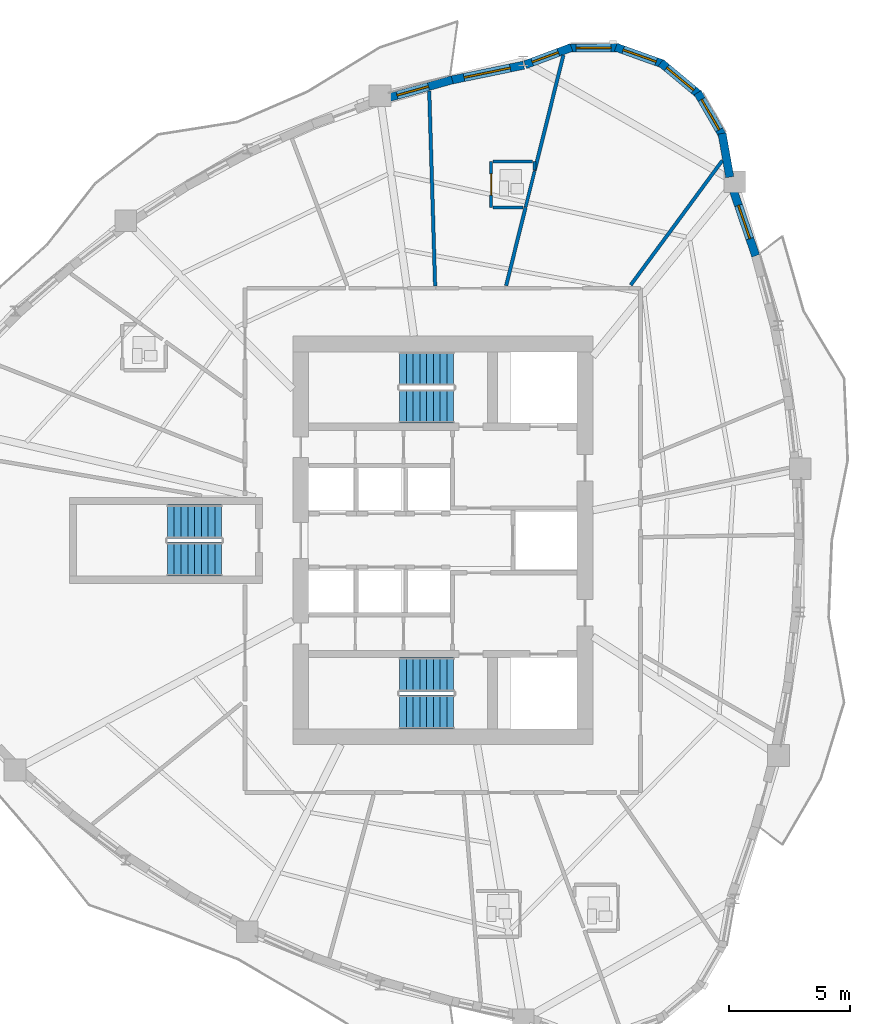
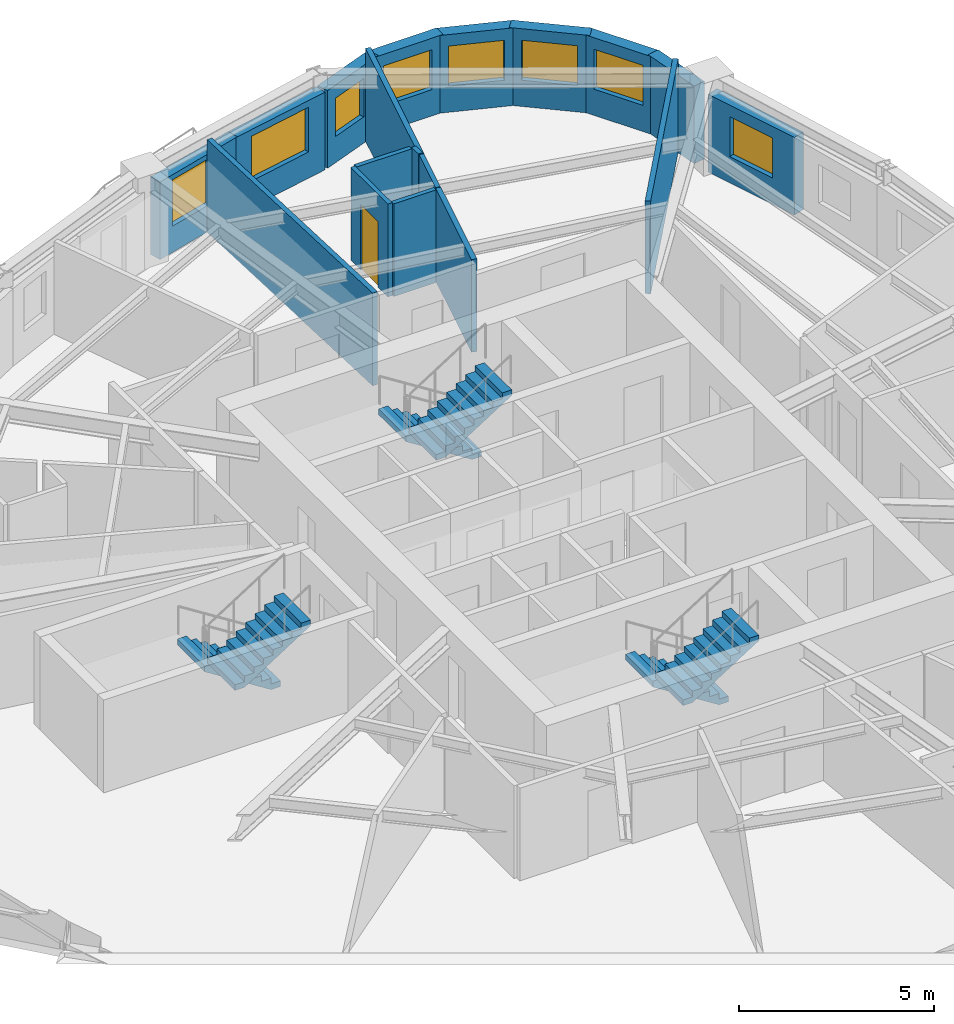
# One storey, part 8 of 12: 18 walls, 8 windows, 6 stair flights, 1 door, 9 openings, 3 elements without a shape of their own.
"""IFC4 building model written with IfcOpenShell, lengths in metres."""

from ifc_helpers import new_model, si_unit, direction, frame, frame_2d, origin, place, context, subcontext, project, spatial, polyline, rectangle, outline, extrude, source, transform, mapped, material, layer, layer_set, type_object, element, fill, aggregate, save


model = new_model("IFC4")

# Units and contexts
model_context = context("Model", 3, precision=1e-05, world=origin(), true_north=direction((0.0, 1.0)))
body_context = subcontext(model_context, "Body", "Model", "MODEL_VIEW")
ifc_project = project(units=[si_unit("LENGTHUNIT", "METRE"), si_unit("AREAUNIT", "SQUARE_METRE"), si_unit("VOLUMEUNIT", "CUBIC_METRE"), si_unit("PLANEANGLEUNIT", "RADIAN"), si_unit("MASSUNIT", "GRAM", prefix="KILO")], contexts=[model_context])

# Site, building, storey
site_placement = place(None, origin())
site = spatial("IfcSite", under=ifc_project, at=site_placement, CompositionType="ELEMENT")
building_placement = place(site_placement, origin())
building = spatial("IfcBuilding", under=site, at=building_placement, Name="Qafzar Sky-Pleat Residences", CompositionType="ELEMENT")
storey_placement = place(building_placement, frame((0.0, 0.0, 124.800048828125)))
storey = spatial("IfcBuildingStorey", under=building, at=storey_placement, Name="L37", CompositionType="ELEMENT", Elevation=124.800048828125)

# Walls
ifc_material_1 = material(Name="Acoustic gypsum plasterboard partition", Category="gypsum")
ifc_layer_1 = layer(ifc_material_1, 0.14501953125)
ifc_layer_set_1 = layer_set([ifc_layer_1], Name="Acoustic gypsum plasterboard partition")
wall_type_1 = type_object("IfcWallType", Name="PART-UNIT-145", PredefinedType="PARTITIONING", material=ifc_layer_set_1)
wall_1_placement = place(storey_placement, frame((29.7861328125, 44.578857421875, 0.0), z_axis=(0.0, 0.0, 1.0), x_axis=(0.030281792334, -0.99954140137, 0.0)))
element("IfcWall", 1, at=wall_1_placement, inside=storey, type_object=wall_type_1, Name="L37 Partition Wall PART-L37-PW-024", PredefinedType="PARTITIONING", context=body_context, shape_type="SweptSolid", body=[
    extrude(rectangle(XDim=8.062255859375, YDim=0.14501953125, at=frame_2d((4.03125, 0.0))), origin(), (0.0, 0.0, 1.0), 2.89990234375),
])
wall_2_placement = place(storey_placement, frame((38.119140625, 36.559326171875, 0.0), z_axis=(0.0, 0.0, 1.0), x_axis=(0.592704345809, 0.805420113021, 0.0)))
element("IfcWall", 2, at=wall_2_placement, inside=storey, type_object=wall_type_1, Name="L37 Partition Wall PART-L37-PW-029", PredefinedType="PARTITIONING", context=body_context, shape_type="SweptSolid", body=[
    extrude(rectangle(XDim=6.398681640625, YDim=0.14501953125, at=frame_2d((3.19921875, 0.0))), origin(), (0.0, 0.0, 1.0), 2.89990234375),
])
wall_3_placement = place(storey_placement, frame((34.14697265625, 41.285888671875, 0.0), z_axis=(0.0, 0.0, 1.0), x_axis=(0.241055314039, 0.970511378384, 0.0)))
element("IfcWall", 3, at=wall_3_placement, inside=storey, type_object=wall_type_1, Name="L37 Partition Wall PART-L37-PW-034", PredefinedType="PARTITIONING", context=body_context, shape_type="SweptSolid", body=[
    extrude(rectangle(XDim=4.92919921875, YDim=0.14501953125, at=frame_2d((2.464599609375, 0.0))), origin(), (0.0, 0.0, 1.0), 2.89990234375),
])
wall_4_placement = place(storey_placement, frame((32.967041015625, 36.53515625, 0.0), z_axis=(0.0, 0.0, 1.0), x_axis=(0.241120890255, 0.970495088232, 0.0)))
element("IfcWall", 4, at=wall_4_placement, inside=storey, type_object=wall_type_1, Name="L37 Partition Wall PART-L37-PW-041", PredefinedType="PARTITIONING", context=body_context, shape_type="SweptSolid", body=[
    extrude(rectangle(XDim=3.330078125, YDim=0.14501953125, at=frame_2d((1.6650390625, 0.0))), origin(), (0.0, 0.0, 1.0), 2.89990234375),
])

# Wall, opening, door
ifc_material_2 = material(Name="Moisture-resistant gypsum partition", Category="gypsum")
ifc_layer_2 = layer(ifc_material_2, 0.1298828125)
ifc_layer_set_2 = layer_set([ifc_layer_2], Name="Moisture-resistant gypsum partition")
wall_type_2 = type_object("IfcWallType", Name="PART-WET-130", PredefinedType="PARTITIONING", material=ifc_layer_set_2)
wall_5_placement = place(storey_placement, frame((32.346923828125, 41.6669921875, 0.0), z_axis=(0.0, 0.0, 1.0), x_axis=(0.0, -1.0, 0.0)))
wall_5 = element("IfcWall", 5, at=wall_5_placement, inside=storey, type_object=wall_type_2, Name="L37 Partition Wall PART-L37-PW-015", PredefinedType="PARTITIONING", context=body_context, shape_type="SweptSolid", body=[
    extrude(rectangle(XDim=1.89990234375, YDim=0.1298828125, at=frame_2d((0.949951171875, 0.0))), origin(), (0.0, 0.0, 1.0), 2.89990234375),
])
opening_1_placement = place(wall_5_placement, frame((0.510009765625, 0.0, 0.0)))
opening_1 = element("IfcOpeningElement", 6, at=opening_1_placement, cuts=wall_5, Name="Opening ID-07", PredefinedType="OPENING", context=body_context, shape_type="SweptSolid", body=[
    extrude(rectangle(XDim=0.8798828125, YDim=2.050048828125, at=frame_2d((0.43994140625, 1.02490234375))), frame((0.0, 0.074951171875, 0.0), z_axis=(0.0, -1.0, 0.0), x_axis=(1.0, 0.0, 0.0)), (0.0, 0.0, 1.0), 0.14990234375),
])
ifc_material_3 = material(Name="Timber-faced fire door", Category="wood")
door_type = type_object("IfcDoorType", Name="DR-WET-880", OperationType="NOTDEFINED", PredefinedType="DOOR", material=ifc_material_3)
shared_shape_1 = source(origin(), body_context, "Body", "SweptSolid", [
    extrude(rectangle(XDim=0.8798828125, YDim=2.050048828125, at=frame_2d((0.43994140625, 1.02490234375))), frame((0.0, 0.02490234375, 0.0), z_axis=(0.0, -1.0, 0.0), x_axis=(1.0, 0.0, 0.0)), (0.0, 0.0, 1.0), 0.050048828125),
])
door_placement = place(opening_1_placement, origin())
door = element("IfcDoor", 7, at=door_placement, inside=storey, type_object=door_type, Name="L37 En-suite Bathroom 1 Door", OperationType="SINGLE_SWING_RIGHT", OverallHeight=2.050048828125, OverallWidth=0.8798828125, PredefinedType="DOOR", context=body_context, shape_type="MappedRepresentation", body=[
    mapped(shared_shape_1, transform((0.0, 0.0, 0.0), x_axis=(1.0, 0.0, 0.0), y_axis=(0.0, 1.0, 0.0), z_axis=(0.0, 0.0, 1.0), scale=1.0)),
])
fill(opening_1, door)

# Walls
wall_6_placement = place(storey_placement, frame((32.419921875, 41.6669921875, 0.0), z_axis=(0.0, 0.0, 1.0), x_axis=(1.0, 0.0, 0.0)))
element("IfcWall", 8, at=wall_6_placement, inside=storey, type_object=wall_type_2, Name="L37 Partition Wall PART-L37-PW-045", PredefinedType="PARTITIONING", context=body_context, shape_type="SweptSolid", body=[
    extrude(rectangle(XDim=1.628173828125, YDim=0.1298828125, at=frame_2d((0.81396484375, 0.0))), origin(), (0.0, 0.0, 1.0), 2.89990234375),
])
wall_7_placement = place(storey_placement, frame((33.773681640625, 39.781494140625, 0.0), z_axis=(0.0, 0.0, 1.0), x_axis=(0.240776504653, 0.970580586457, 0.0)))
element("IfcWall", 9, at=wall_7_placement, inside=storey, type_object=wall_type_2, Name="L37 Partition Wall PART-L37-PW-047", PredefinedType="PARTITIONING", context=body_context, shape_type="SweptSolid", body=[
    extrude(rectangle(XDim=1.53515625, YDim=0.1298828125, at=frame_2d((0.767578125, 0.0))), origin(), (0.0, 0.0, 1.0), 2.89990234375),
])
wall_8_placement = place(storey_placement, frame((32.419921875, 39.76708984375, 0.0), z_axis=(0.0, 0.0, 1.0), x_axis=(1.0, 0.0, 0.0)))
element("IfcWall", 10, at=wall_8_placement, inside=storey, type_object=wall_type_2, Name="L37 Partition Wall PART-L37-PW-048", PredefinedType="PARTITIONING", context=body_context, shape_type="SweptSolid", body=[
    extrude(rectangle(XDim=1.251220703125, YDim=0.1298828125, at=frame_2d((0.62548828125, 0.0))), origin(), (0.0, 0.0, 1.0), 2.89990234375),
])
wall_9_placement = place(storey_placement, frame((34.14697265625, 41.31689453125, 0.0), z_axis=(0.0, 0.0, 1.0), x_axis=(0.0, 1.0, 0.0)))
element("IfcWall", 11, at=wall_9_placement, inside=storey, type_object=wall_type_2, Name="L37 Partition Wall PART-L37-PW-057", PredefinedType="PARTITIONING", context=body_context, shape_type="SweptSolid", body=[
    extrude(rectangle(XDim=0.35009765625, YDim=0.1298828125, at=frame_2d((0.175048828125, 0.0))), origin(), (0.0, 0.0, 1.0), 2.89990234375),
])

# Wall, opening, window
ifc_material_4 = material(Name="Precast concrete C40/50 with honed Riyadh limestone", Category="concrete")
ifc_layer_3 = layer(ifc_material_4, 0.340087890625)
ifc_layer_set_3 = layer_set([ifc_layer_3], Name="Precast concrete C40/50 with honed Riyadh limestone")
wall_type_3 = type_object("IfcWallType", Name="WALL-EXT-340", PredefinedType="SOLIDWALL", material=ifc_layer_set_3)
wall_10_placement = place(storey_placement, frame((43.2880859375, 37.77099609375, 0.0), z_axis=(0.0, 0.0, 1.0), x_axis=(-0.323537149191, 0.94621546864, 0.0)))
wall_10 = element("IfcWall", 12, at=wall_10_placement, inside=storey, type_object=wall_type_3, Name="L37 Limestone Facade Wall 32", PredefinedType="SOLIDWALL", context=body_context, shape_type="SweptSolid", body=[
    extrude(rectangle(XDim=2.942138671875, YDim=0.340087890625, at=frame_2d((1.47119140625, 0.0))), origin(), (0.0, 0.0, 1.0), 2.429931640625),
])
opening_2_placement = place(wall_10_placement, frame((0.751220703125, 0.0, 0.820068359375)))
opening_2 = element("IfcOpeningElement", 13, at=opening_2_placement, cuts=wall_10, Name="Opening WN-15", PredefinedType="OPENING", context=body_context, shape_type="SweptSolid", body=[
    extrude(rectangle(XDim=1.449951171875, YDim=1.25, at=frame_2d((0.72509765625, 0.625))), frame((0.0, 0.18017578125, 0.0), z_axis=(0.0, -1.0, 0.0), x_axis=(1.0, 0.0, 0.0)), (0.0, 0.0, 1.0), 0.360107421875),
])
ifc_material_5 = material(Name="Solar-control low-E glass in bronze aluminium frame", Category="glass")
window_type_1 = type_object("IfcWindowType", Name="WIN-15", PartitioningType="SINGLE_PANEL", PredefinedType="WINDOW", material=ifc_material_5)
shared_shape_2 = source(origin(), body_context, "Body", "SweptSolid", [
    extrude(rectangle(XDim=1.449951171875, YDim=1.25, at=frame_2d((0.72509765625, 0.625))), frame((0.0, 0.030029296875, 0.0), z_axis=(0.0, -1.0, 0.0), x_axis=(1.0, 0.0, 0.0)), (0.0, 0.0, 1.0), 0.06005859375),
])
window_1_placement = place(opening_2_placement, origin())
window_1 = element("IfcWindow", 14, at=window_1_placement, inside=storey, type_object=window_type_1, Name="L37 Punched Facade Window 32", OverallHeight=1.25, OverallWidth=1.449951171875, PartitioningType="SINGLE_PANEL", PredefinedType="WINDOW", context=body_context, shape_type="MappedRepresentation", body=[
    mapped(shared_shape_2, transform((0.0, 0.0, 0.0), x_axis=(1.0, 0.0, 0.0), y_axis=(0.0, 1.0, 0.0), z_axis=(0.0, 0.0, 1.0), scale=1.0)),
])
fill(opening_2, window_1)

# Wall
wall_11_placement = place(storey_placement, frame((42.215087890625, 41.0244140625, 0.0), z_axis=(0.0, 0.0, 1.0), x_axis=(-0.17440141227, 0.984674640375, 0.0)))
element("IfcWall", 15, at=wall_11_placement, inside=storey, type_object=wall_type_3, Name="L37 Limestone Facade Wall 33", PredefinedType="SOLIDWALL", context=body_context, shape_type="SweptSolid", body=[
    extrude(rectangle(XDim=1.8310546875, YDim=0.340087890625, at=frame_2d((0.91552734375, 0.0))), origin(), (0.0, 0.0, 1.0), 2.429931640625),
])

# Wall, opening, window
wall_12_placement = place(storey_placement, frame((41.941650390625, 42.701416015625, 0.0), z_axis=(0.0, 0.0, 1.0), x_axis=(-0.501902596059, 0.864924149315, 0.0)))
wall_12 = element("IfcWall", 16, at=wall_12_placement, inside=storey, type_object=wall_type_3, Name="L37 Limestone Facade Wall 34", PredefinedType="SOLIDWALL", context=body_context, shape_type="SweptSolid", body=[
    extrude(rectangle(XDim=2.098876953125, YDim=0.340087890625, at=frame_2d((1.04931640625, 0.0))), origin(), (0.0, 0.0, 1.0), 2.429931640625),
])
opening_3_placement = place(wall_12_placement, frame((0.324462890625, 0.0, 0.820068359375)))
opening_3 = element("IfcOpeningElement", 17, at=opening_3_placement, cuts=wall_12, Name="Opening WN-15", PredefinedType="OPENING", context=body_context, shape_type="SweptSolid", body=[
    extrude(rectangle(XDim=1.449951171875, YDim=1.25, at=frame_2d((0.72509765625, 0.625))), frame((0.0, 0.18017578125, 0.0), z_axis=(0.0, -1.0, 0.0), x_axis=(1.0, 0.0, 0.0)), (0.0, 0.0, 1.0), 0.360107421875),
])
window_2_placement = place(opening_3_placement, origin())
window_2 = element("IfcWindow", 18, at=window_2_placement, inside=storey, type_object=window_type_1, Name="L37 Punched Facade Window 34", OverallHeight=1.25, OverallWidth=1.449951171875, PartitioningType="SINGLE_PANEL", PredefinedType="WINDOW", context=body_context, shape_type="MappedRepresentation", body=[
    mapped(shared_shape_2, transform((0.0, 0.0, 0.0), x_axis=(1.0, 0.0, 0.0), y_axis=(0.0, 1.0, 0.0), z_axis=(0.0, 0.0, 1.0), scale=1.0)),
])
fill(opening_3, window_2)

wall_13_placement = place(storey_placement, frame((40.974609375, 44.414306640625, 0.0), z_axis=(0.0, 0.0, 1.0), x_axis=(-0.768440501876, 0.639921241308, 0.0)))
wall_13 = element("IfcWall", 19, at=wall_13_placement, inside=storey, type_object=wall_type_3, Name="L37 Limestone Facade Wall 35", PredefinedType="SOLIDWALL", context=body_context, shape_type="SweptSolid", body=[
    extrude(rectangle(XDim=2.09912109375, YDim=0.340087890625, at=frame_2d((1.049560546875, 0.0))), origin(), (0.0, 0.0, 1.0), 2.429931640625),
])
opening_4_placement = place(wall_13_placement, frame((0.324462890625, 0.0, 0.820068359375)))
opening_4 = element("IfcOpeningElement", 20, at=opening_4_placement, cuts=wall_13, Name="Opening WN-15", PredefinedType="OPENING", context=body_context, shape_type="SweptSolid", body=[
    extrude(rectangle(XDim=1.449951171875, YDim=1.25, at=frame_2d((0.72509765625, 0.625))), frame((0.0, 0.18017578125, 0.0), z_axis=(0.0, -1.0, 0.0), x_axis=(1.0, 0.0, 0.0)), (0.0, 0.0, 1.0), 0.360107421875),
])
window_3_placement = place(opening_4_placement, origin())
window_3 = element("IfcWindow", 21, at=window_3_placement, inside=storey, type_object=window_type_1, Name="L37 Punched Facade Window 35", OverallHeight=1.25, OverallWidth=1.449951171875, PartitioningType="SINGLE_PANEL", PredefinedType="WINDOW", context=body_context, shape_type="MappedRepresentation", body=[
    mapped(shared_shape_2, transform((0.0, 0.0, 0.0), x_axis=(1.0, 0.0, 0.0), y_axis=(0.0, 1.0, 0.0), z_axis=(0.0, 0.0, 1.0), scale=1.0)),
])
fill(opening_4, window_3)

wall_14_placement = place(storey_placement, frame((39.47802734375, 45.69091796875, 0.0), z_axis=(0.0, 0.0, 1.0), x_axis=(-0.941523304278, 0.336947870598, 0.0)))
wall_14 = element("IfcWall", 22, at=wall_14_placement, inside=storey, type_object=wall_type_3, Name="L37 Limestone Facade Wall 36", PredefinedType="SOLIDWALL", context=body_context, shape_type="SweptSolid", body=[
    extrude(rectangle(XDim=2.09912109375, YDim=0.340087890625, at=frame_2d((1.049560546875, 0.0))), origin(), (0.0, 0.0, 1.0), 2.429931640625),
])
opening_5_placement = place(wall_14_placement, frame((0.324462890625, 0.0, 0.820068359375)))
opening_5 = element("IfcOpeningElement", 23, at=opening_5_placement, cuts=wall_14, Name="Opening WN-15", PredefinedType="OPENING", context=body_context, shape_type="SweptSolid", body=[
    extrude(rectangle(XDim=1.449951171875, YDim=1.25, at=frame_2d((0.72509765625, 0.625))), frame((0.0, 0.18017578125, 0.0), z_axis=(0.0, -1.0, 0.0), x_axis=(1.0, 0.0, 0.0)), (0.0, 0.0, 1.0), 0.360107421875),
])
window_4_placement = place(opening_5_placement, origin())
window_4 = element("IfcWindow", 24, at=window_4_placement, inside=storey, type_object=window_type_1, Name="L37 Punched Facade Window 36", OverallHeight=1.25, OverallWidth=1.449951171875, PartitioningType="SINGLE_PANEL", PredefinedType="WINDOW", context=body_context, shape_type="MappedRepresentation", body=[
    mapped(shared_shape_2, transform((0.0, 0.0, 0.0), x_axis=(1.0, 0.0, 0.0), y_axis=(0.0, 1.0, 0.0), z_axis=(0.0, 0.0, 1.0), scale=1.0)),
])
fill(opening_5, window_4)

wall_15_placement = place(storey_placement, frame((37.634033203125, 46.375732421875, 0.0), z_axis=(0.0, 0.0, 1.0), x_axis=(-0.999976456891, -0.00686189939, 0.0)))
wall_15 = element("IfcWall", 25, at=wall_15_placement, inside=storey, type_object=wall_type_3, Name="L37 Limestone Facade Wall 37", PredefinedType="SOLIDWALL", context=body_context, shape_type="SweptSolid", body=[
    extrude(rectangle(XDim=2.09912109375, YDim=0.340087890625, at=frame_2d((1.049560546875, 0.0))), origin(), (0.0, 0.0, 1.0), 2.429931640625),
])
opening_6_placement = place(wall_15_placement, frame((0.324462890625, 0.0, 0.820068359375)))
opening_6 = element("IfcOpeningElement", 26, at=opening_6_placement, cuts=wall_15, Name="Opening WN-15", PredefinedType="OPENING", context=body_context, shape_type="SweptSolid", body=[
    extrude(rectangle(XDim=1.449951171875, YDim=1.25, at=frame_2d((0.72509765625, 0.625))), frame((0.0, 0.18017578125, 0.0), z_axis=(0.0, -1.0, 0.0), x_axis=(1.0, 0.0, 0.0)), (0.0, 0.0, 1.0), 0.360107421875),
])
window_5_placement = place(opening_6_placement, origin())
window_5 = element("IfcWindow", 27, at=window_5_placement, inside=storey, type_object=window_type_1, Name="L37 Punched Facade Window 37", OverallHeight=1.25, OverallWidth=1.449951171875, PartitioningType="SINGLE_PANEL", PredefinedType="WINDOW", context=body_context, shape_type="MappedRepresentation", body=[
    mapped(shared_shape_2, transform((0.0, 0.0, 0.0), x_axis=(1.0, 0.0, 0.0), y_axis=(0.0, 1.0, 0.0), z_axis=(0.0, 0.0, 1.0), scale=1.0)),
])
fill(opening_6, window_5)

wall_16_placement = place(storey_placement, frame((35.6669921875, 46.3857421875, 0.0), z_axis=(0.0, 0.0, 1.0), x_axis=(-0.936761017964, -0.34996970615, 0.0)))
wall_16 = element("IfcWall", 28, at=wall_16_placement, inside=storey, type_object=wall_type_3, Name="L37 Limestone Facade Wall 38", PredefinedType="SOLIDWALL", context=body_context, shape_type="SweptSolid", body=[
    extrude(rectangle(XDim=2.041259765625, YDim=0.340087890625, at=frame_2d((1.0205078125, 0.0))), origin(), (0.0, 0.0, 1.0), 2.429931640625),
])
opening_7_placement = place(wall_16_placement, frame((0.579345703125, 0.0, 0.820068359375)))
opening_7 = element("IfcOpeningElement", 29, at=opening_7_placement, cuts=wall_16, Name="Opening WN-16", PredefinedType="OPENING", context=body_context, shape_type="SweptSolid", body=[
    extrude(rectangle(XDim=1.14990234375, YDim=1.199951171875, at=frame_2d((0.574951171875, 0.60009765625))), frame((0.0, 0.18017578125, 0.0), z_axis=(0.0, -1.0, 0.0), x_axis=(1.0, 0.0, 0.0)), (0.0, 0.0, 1.0), 0.360107421875),
])
window_type_2 = type_object("IfcWindowType", Name="WIN-16", PartitioningType="SINGLE_PANEL", PredefinedType="WINDOW", material=ifc_material_5)
shared_shape_3 = source(origin(), body_context, "Body", "SweptSolid", [
    extrude(rectangle(XDim=1.14990234375, YDim=1.199951171875, at=frame_2d((0.574951171875, 0.60009765625))), frame((0.0, 0.030029296875, 0.0), z_axis=(0.0, -1.0, 0.0), x_axis=(1.0, 0.0, 0.0)), (0.0, 0.0, 1.0), 0.06005859375),
])
window_6_placement = place(opening_7_placement, origin())
window_6 = element("IfcWindow", 30, at=window_6_placement, inside=storey, type_object=window_type_2, Name="L37 Punched Facade Window 38", OverallHeight=1.199951171875, OverallWidth=1.14990234375, PartitioningType="SINGLE_PANEL", PredefinedType="WINDOW", context=body_context, shape_type="MappedRepresentation", body=[
    mapped(shared_shape_3, transform((0.0, 0.0, 0.0), x_axis=(1.0, 0.0, 0.0), y_axis=(0.0, 1.0, 0.0), z_axis=(0.0, 0.0, 1.0), scale=1.0)),
])
fill(opening_7, window_6)

wall_17_placement = place(storey_placement, frame((33.69140625, 45.6533203125, 0.0), z_axis=(0.0, 0.0, 1.0), x_axis=(-0.979414063846, -0.201861565287, 0.0)))
wall_17 = element("IfcWall", 31, at=wall_17_placement, inside=storey, type_object=wall_type_3, Name="L37 Limestone Facade Wall 39", PredefinedType="SOLIDWALL", context=body_context, shape_type="SweptSolid", body=[
    extrude(rectangle(XDim=3.103515625, YDim=0.340087890625, at=frame_2d((1.5517578125, 0.0))), origin(), (0.0, 0.0, 1.0), 2.429931640625),
])
opening_8_placement = place(wall_17_placement, frame((0.566650390625, 0.0, 0.820068359375)))
opening_8 = element("IfcOpeningElement", 32, at=opening_8_placement, cuts=wall_17, Name="Opening WN-08", PredefinedType="OPENING", context=body_context, shape_type="SweptSolid", body=[
    extrude(rectangle(XDim=1.949951171875, YDim=1.39990234375, at=frame_2d((0.97509765625, 0.699951171875))), frame((0.0, 0.18017578125, 0.0), z_axis=(0.0, -1.0, 0.0), x_axis=(1.0, 0.0, 0.0)), (0.0, 0.0, 1.0), 0.360107421875),
])
window_type_3 = type_object("IfcWindowType", Name="WIN-08", PartitioningType="DOUBLE_PANEL_VERTICAL", PredefinedType="WINDOW", material=ifc_material_5)
shared_shape_4 = source(origin(), body_context, "Body", "SweptSolid", [
    extrude(rectangle(XDim=1.949951171875, YDim=1.39990234375, at=frame_2d((0.97509765625, 0.699951171875))), frame((0.0, 0.030029296875, 0.0), z_axis=(0.0, -1.0, 0.0), x_axis=(1.0, 0.0, 0.0)), (0.0, 0.0, 1.0), 0.06005859375),
])
window_7_placement = place(opening_8_placement, origin())
window_7 = element("IfcWindow", 33, at=window_7_placement, inside=storey, type_object=window_type_3, Name="L37 Punched Facade Window 39", OverallHeight=1.39990234375, OverallWidth=1.949951171875, PartitioningType="SINGLE_PANEL", PredefinedType="WINDOW", context=body_context, shape_type="MappedRepresentation", body=[
    mapped(shared_shape_4, transform((0.0, 0.0, 0.0), x_axis=(1.0, 0.0, 0.0), y_axis=(0.0, 1.0, 0.0), z_axis=(0.0, 0.0, 1.0), scale=1.0)),
])
fill(opening_8, window_7)

wall_18_placement = place(storey_placement, frame((30.7373046875, 45.047607421875, 0.0), z_axis=(0.0, 0.0, 1.0), x_axis=(-0.963026728711, -0.26940586443, 0.0)))
wall_18 = element("IfcWall", 34, at=wall_18_placement, inside=storey, type_object=wall_type_3, Name="L37 Limestone Facade Wall 40", PredefinedType="SOLIDWALL", context=body_context, shape_type="SweptSolid", body=[
    extrude(rectangle(XDim=2.8291015625, YDim=0.340087890625, at=frame_2d((1.41455078125, 0.0))), origin(), (0.0, 0.0, 1.0), 2.429931640625),
])
opening_9_placement = place(wall_18_placement, frame((1.021484375, 0.0, 0.820068359375)))
opening_9 = element("IfcOpeningElement", 35, at=opening_9_placement, cuts=wall_18, Name="Opening WN-04", PredefinedType="OPENING", context=body_context, shape_type="SweptSolid", body=[
    extrude(rectangle(XDim=1.35009765625, YDim=1.449951171875, at=frame_2d((0.675048828125, 0.72509765625))), frame((0.0, 0.18017578125, 0.0), z_axis=(0.0, -1.0, 0.0), x_axis=(1.0, 0.0, 0.0)), (0.0, 0.0, 1.0), 0.360107421875),
])
window_type_4 = type_object("IfcWindowType", Name="WIN-04", PartitioningType="SINGLE_PANEL", PredefinedType="WINDOW", material=ifc_material_5)
shared_shape_5 = source(origin(), body_context, "Body", "SweptSolid", [
    extrude(rectangle(XDim=1.35009765625, YDim=1.449951171875, at=frame_2d((0.675048828125, 0.72509765625))), frame((0.0, 0.030029296875, 0.0), z_axis=(0.0, -1.0, 0.0), x_axis=(1.0, 0.0, 0.0)), (0.0, 0.0, 1.0), 0.06005859375),
])
window_8_placement = place(opening_9_placement, origin())
window_8 = element("IfcWindow", 36, at=window_8_placement, inside=storey, type_object=window_type_4, Name="L37 Punched Facade Window 40-2", OverallHeight=1.449951171875, OverallWidth=1.35009765625, PartitioningType="SINGLE_PANEL", PredefinedType="WINDOW", context=body_context, shape_type="MappedRepresentation", body=[
    mapped(shared_shape_5, transform((0.0, 0.0, 0.0), x_axis=(1.0, 0.0, 0.0), y_axis=(0.0, 1.0, 0.0), z_axis=(0.0, 0.0, 1.0), scale=1.0)),
])
fill(opening_9, window_8)

# Stair, stair flights
ifc_material_6 = material(Name="Concrete C40/50", Category="concrete")
stair_type = type_object("IfcStairType", Name="STAIR-H320", PredefinedType="HALF_TURN_STAIR", material=ifc_material_6)
stair_1_placement = place(storey_placement, origin())
stair_1 = element("IfcStair", 37, at=stair_1_placement, inside=storey, type_object=stair_type, Name="L37 Protected Exit Stair ST1", PredefinedType="HALF_TURN_STAIR")
stair_flight_type = type_object("IfcStairFlightType", Name="FLIGHT-H320", PredefinedType="STRAIGHT", material=ifc_material_6)
shared_shape_6 = source(origin(), body_context, "Body", "SweptSolid", [
    extrude(outline(polyline([(0.0, 0.0), (0.0, 0.177734375), (0.280029296875, 0.177734375), (0.280029296875, 0.35546875), (0.56005859375, 0.35546875), (0.56005859375, 0.533447265625), (0.840087890625, 0.533447265625), (0.840087890625, 0.711181640625), (1.1201171875, 0.711181640625), (1.1201171875, 0.888916015625), (1.39990234375, 0.888916015625), (1.39990234375, 1.066650390625), (1.679931640625, 1.066650390625), (1.679931640625, 1.244384765625), (1.9599609375, 1.244384765625), (1.9599609375, 1.422119140625), (2.239990234375, 1.422119140625), (2.239990234375, 1.60009765625), (2.239990234375, 1.24462890625), (0.27978515625, 0.0), (0.0, 0.0)])), frame((0.0, 0.699951171875, 0.0), z_axis=(0.0, -1.0, 0.0), x_axis=(1.0, 0.0, 0.0)), (0.0, 0.0, 1.0), 1.39990234375),
])
stair_flight_1_placement = place(storey_placement, frame((30.800048828125, 20.449951171875, 0.0), z_axis=(0.0, 0.0, 1.0), x_axis=(-1.0, 0.0, 0.0)))
stair_flight_1 = element("IfcStairFlight", 38, at=stair_flight_1_placement, type_object=stair_flight_type, Name="ST1 flight 1", NumberOfRisers=9, NumberOfTreads=8, PredefinedType="STRAIGHT", RiserHeight=0.177777778, TreadLength=0.28, context=body_context, shape_type="MappedRepresentation", body=[
    mapped(shared_shape_6, transform((0.0, 0.0, 0.0), x_axis=(1.0, 0.0, 0.0), y_axis=(0.0, 1.0, 0.0), z_axis=(0.0, 0.0, 1.0), scale=1.0)),
])
stair_flight_2_placement = place(storey_placement, frame((28.56005859375, 18.89990234375, 1.599853515625), z_axis=(0.0, 0.0, 1.0), x_axis=(1.0, 0.0, 0.0)))
stair_flight_2 = element("IfcStairFlight", 39, at=stair_flight_2_placement, type_object=stair_flight_type, Name="ST1 flight 2", NumberOfRisers=9, NumberOfTreads=8, PredefinedType="STRAIGHT", RiserHeight=0.177777778, TreadLength=0.28, context=body_context, shape_type="MappedRepresentation", body=[
    mapped(shared_shape_6, transform((0.0, 0.0, 0.0), x_axis=(1.0, 0.0, 0.0), y_axis=(0.0, 1.0, 0.0), z_axis=(0.0, 0.0, 1.0), scale=1.0)),
])
aggregate(stair_1, [stair_flight_1, stair_flight_2])

stair_2_placement = place(storey_placement, origin())
stair_2 = element("IfcStair", 40, at=stair_2_placement, inside=storey, type_object=stair_type, Name="L37 Protected Exit Stair ST2", PredefinedType="HALF_TURN_STAIR")
stair_flight_3_placement = place(storey_placement, frame((30.800048828125, 33.10009765625, 0.0), z_axis=(0.0, 0.0, 1.0), x_axis=(-1.0, 0.0, 0.0)))
stair_flight_3 = element("IfcStairFlight", 41, at=stair_flight_3_placement, type_object=stair_flight_type, Name="ST2 flight 1", NumberOfRisers=9, NumberOfTreads=8, PredefinedType="STRAIGHT", RiserHeight=0.177777778, TreadLength=0.28, context=body_context, shape_type="MappedRepresentation", body=[
    mapped(shared_shape_6, transform((0.0, 0.0, 0.0), x_axis=(1.0, 0.0, 0.0), y_axis=(0.0, 1.0, 0.0), z_axis=(0.0, 0.0, 1.0), scale=1.0)),
])
stair_flight_4_placement = place(storey_placement, frame((28.56005859375, 31.550048828125, 1.599853515625), z_axis=(0.0, 0.0, 1.0), x_axis=(1.0, 0.0, 0.0)))
stair_flight_4 = element("IfcStairFlight", 42, at=stair_flight_4_placement, type_object=stair_flight_type, Name="ST2 flight 2", NumberOfRisers=9, NumberOfTreads=8, PredefinedType="STRAIGHT", RiserHeight=0.177777778, TreadLength=0.28, context=body_context, shape_type="MappedRepresentation", body=[
    mapped(shared_shape_6, transform((0.0, 0.0, 0.0), x_axis=(1.0, 0.0, 0.0), y_axis=(0.0, 1.0, 0.0), z_axis=(0.0, 0.0, 1.0), scale=1.0)),
])
aggregate(stair_2, [stair_flight_3, stair_flight_4])

stair_3_placement = place(storey_placement, origin())
stair_3 = element("IfcStair", 43, at=stair_3_placement, inside=storey, type_object=stair_type, Name="L37 Protected Exit Stair ST3", PredefinedType="HALF_TURN_STAIR")
stair_flight_5_placement = place(storey_placement, frame((21.199951171875, 26.77490234375, 0.0), z_axis=(0.0, 0.0, 1.0), x_axis=(-1.0, 0.0, 0.0)))
stair_flight_5 = element("IfcStairFlight", 44, at=stair_flight_5_placement, type_object=stair_flight_type, Name="ST3 flight 1", NumberOfRisers=9, NumberOfTreads=8, PredefinedType="STRAIGHT", RiserHeight=0.177777778, TreadLength=0.28, context=body_context, shape_type="MappedRepresentation", body=[
    mapped(shared_shape_6, transform((0.0, 0.0, 0.0), x_axis=(1.0, 0.0, 0.0), y_axis=(0.0, 1.0, 0.0), z_axis=(0.0, 0.0, 1.0), scale=1.0)),
])
stair_flight_6_placement = place(storey_placement, frame((18.9599609375, 25.22509765625, 1.599853515625), z_axis=(0.0, 0.0, 1.0), x_axis=(1.0, 0.0, 0.0)))
stair_flight_6 = element("IfcStairFlight", 45, at=stair_flight_6_placement, type_object=stair_flight_type, Name="ST3 flight 2", NumberOfRisers=9, NumberOfTreads=8, PredefinedType="STRAIGHT", RiserHeight=0.177777778, TreadLength=0.28, context=body_context, shape_type="MappedRepresentation", body=[
    mapped(shared_shape_6, transform((0.0, 0.0, 0.0), x_axis=(1.0, 0.0, 0.0), y_axis=(0.0, 1.0, 0.0), z_axis=(0.0, 0.0, 1.0), scale=1.0)),
])
aggregate(stair_3, [stair_flight_5, stair_flight_6])

save(model, "model.ifc")
